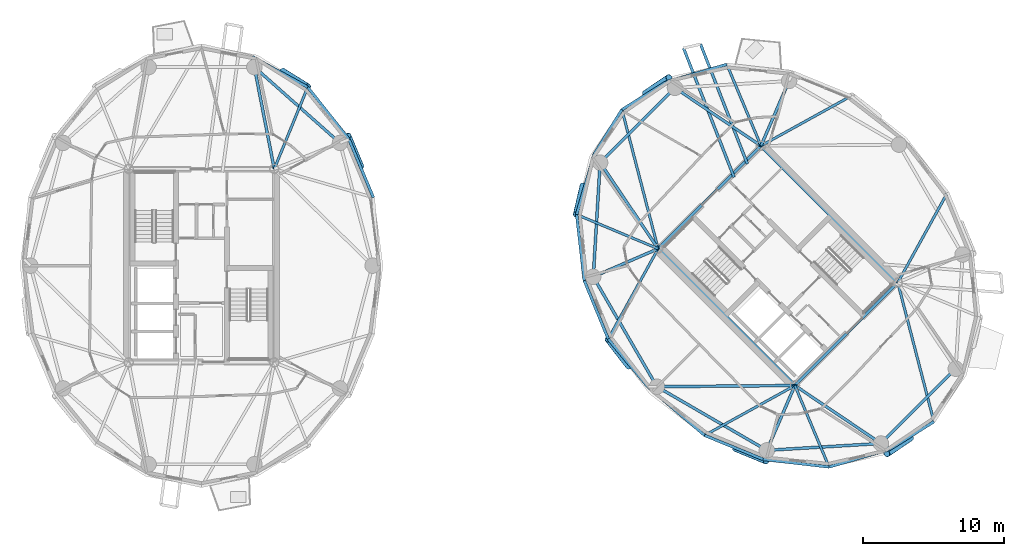
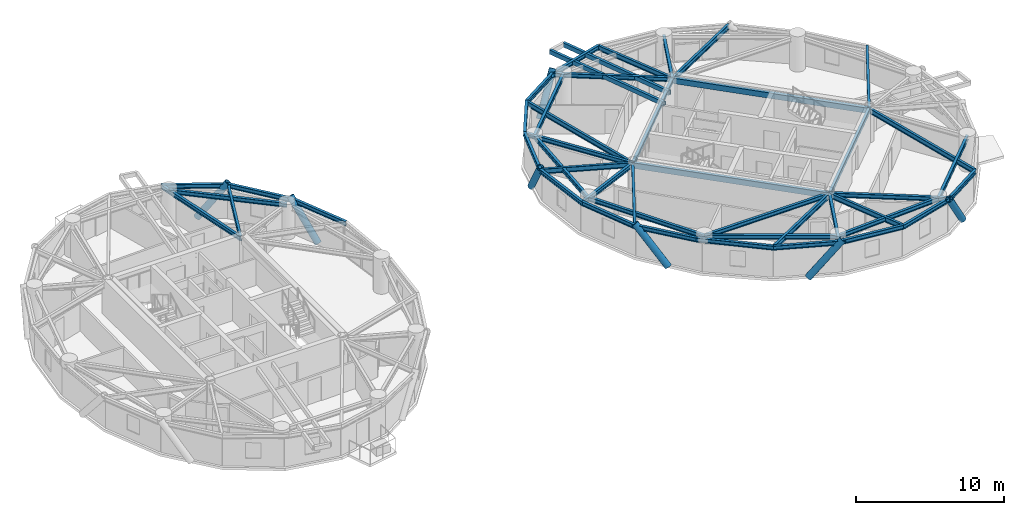
# One storey, part 4 of 17: 46 beams, 7 members.
"""IFC4 building model written with IfcOpenShell, lengths in metres."""

import ifcopenshell
import ifcopenshell.guid

model = None  # the IFC model being written
_history = None  # IfcOwnerHistory: only IFC2X3 demands one
_inside = {}  # id of a spatial element -> (the spatial element, [elements in it])
_under = {}  # id of a project, library or spatial element -> (it, [spatial elements below it])
_declared = {}  # id of a project -> (the project, [libraries it declares])
_typed = {}  # id of a type object -> (the type object, [elements of that type])
_made_of = {}  # id of a material, layer set ... -> (it, [elements and type objects made of it])


def new_model(schema):
    """Start an empty IFC model of exactly this schema.

    Asked for "IFC4X3", IfcOpenShell would pick the latest addendum, in which some entities
    have other attributes; the version numbers below select the first issue.
    IFC2X3 requires an IfcOwnerHistory on every rooted entity: one is made here for all.
    """
    global model, _history
    if schema == "IFC4X3":
        model = ifcopenshell.file(schema_version=(4, 3, 0, 0))
    else:
        model = ifcopenshell.file(schema=schema)
    _inside.clear()
    _under.clear()
    _declared.clear()
    _typed.clear()
    _made_of.clear()
    _history = None
    if model.schema == "IFC2X3":
        org = make("IfcOrganization", Name="unknown")
        user = make(
            "IfcPersonAndOrganization",
            ThePerson=make("IfcPerson", FamilyName="unknown"),
            TheOrganization=org,
        )
        app = make(
            "IfcApplication",
            ApplicationDeveloper=org,
            Version="unknown",
            ApplicationFullName="unknown",
            ApplicationIdentifier="unknown",
        )
        _history = make(
            "IfcOwnerHistory",
            OwningUser=user,
            OwningApplication=app,
            ChangeAction="ADDED",
            CreationDate=0,
        )
    return model


def make(cls, **values):
    """One entity of the class cls with the attributes given. An attribute that is None is left unset."""
    return model.create_entity(
        cls, **{name: value for name, value in values.items() if value is not None}
    )


def rooted(cls, **values):
    """An entity with a GlobalId (a new one), such as an element, a storey or a relation."""
    return make(cls, GlobalId=ifcopenshell.guid.new(), OwnerHistory=_history, **values)


def si_unit(unit_type, name, prefix=None):
    """IfcSIUnit, for example si_unit("LENGTHUNIT", "METRE", prefix="MILLI")."""
    return make("IfcSIUnit", UnitType=unit_type, Prefix=prefix, Name=name)


def assignment(units):
    """IfcUnitAssignment: the units of a project."""
    return None if units is None else make("IfcUnitAssignment", Units=units)


def point(xyz):
    """IfcCartesianPoint."""
    return None if xyz is None else make("IfcCartesianPoint", Coordinates=xyz)


def direction(xyz):
    """IfcDirection."""
    return None if xyz is None else make("IfcDirection", DirectionRatios=xyz)


def frame(location, z_axis=None, x_axis=None):
    """IfcAxis2Placement3D, a coordinate frame: its origin and axes. An axis left out is left unset."""
    return make(
        "IfcAxis2Placement3D",
        Location=point(location),
        Axis=direction(z_axis),
        RefDirection=direction(x_axis),
    )


def frame_2d(location, x_axis=None):
    """IfcAxis2Placement2D, a coordinate frame in the plane: its origin and x axis."""
    return make(
        "IfcAxis2Placement2D", Location=point(location), RefDirection=direction(x_axis)
    )


def origin():
    """The frame at (0, 0, 0) with its axes left unset."""
    return frame((0.0, 0.0, 0.0))


def origin_2d():
    """The frame at (0, 0) in the plane with its x axis left unset."""
    return frame_2d((0.0, 0.0))


def place(relative_to, where):
    """IfcLocalPlacement: puts the frame where relative to a parent placement (None: the world)."""
    return make(
        "IfcLocalPlacement", PlacementRelTo=relative_to, RelativePlacement=where
    )


def context(
    kind, dimensions, precision=None, world=None, true_north=None, identifier=None
):
    """IfcGeometricRepresentationContext, for example the 3D "Model" context."""
    return make(
        "IfcGeometricRepresentationContext",
        ContextIdentifier=identifier,
        ContextType=kind,
        CoordinateSpaceDimension=dimensions,
        Precision=precision,
        WorldCoordinateSystem=world,
        TrueNorth=true_north,
    )


def subcontext(parent, identifier, kind, view, scale=None):
    """IfcGeometricRepresentationSubContext, for example "Body" below "Model"."""
    return make(
        "IfcGeometricRepresentationSubContext",
        ContextIdentifier=identifier,
        ContextType=kind,
        ParentContext=parent,
        TargetScale=scale,
        TargetView=view,
    )


def project(units=None, contexts=None):
    """IfcProject with its units and contexts."""
    return rooted(
        "IfcProject",
        Name="project",
        RepresentationContexts=contexts,
        UnitsInContext=assignment(units),
    )


def spatial(cls, under=None, at=None, **own):
    """A site, building, storey or space (cls), placed at a placement, below another one or the project."""
    s = rooted(cls, ObjectPlacement=at, **own)
    if under is not None:
        _under.setdefault(under.id(), (under, []))[1].append(s)
    return s


def profile(cls, at=None, kind="AREA", **sizes):
    """A parametric profile (cls). Its sizes go by their IFC names, for example OverallWidth=200.0."""
    return make(cls, ProfileType=kind, Position=at, **sizes)


def hollow_rectangle(**sizes):
    """IfcRectangleHollowProfileDef."""
    return profile("IfcRectangleHollowProfileDef", **sizes)


def hollow_circle(**sizes):
    """IfcCircleHollowProfileDef."""
    return profile("IfcCircleHollowProfileDef", **sizes)


def i_section(**sizes):
    """IfcIShapeProfileDef."""
    return profile("IfcIShapeProfileDef", **sizes)


def extrude(swept, where, along, depth):
    """IfcExtrudedAreaSolid: the profile swept, set in the frame where, extruded along a direction by depth."""
    return make(
        "IfcExtrudedAreaSolid",
        SweptArea=swept,
        Position=where,
        ExtrudedDirection=direction(along),
        Depth=depth,
    )


def shape(context_of_items, identifier, shape_type, items):
    """IfcShapeRepresentation: the items that make up one representation, for example the "Body"."""
    return make(
        "IfcShapeRepresentation",
        ContextOfItems=context_of_items,
        RepresentationIdentifier=identifier,
        RepresentationType=shape_type,
        Items=items,
    )


def material(Name=None, Category=None):
    """IfcMaterial."""
    return make("IfcMaterial", Name=Name, Category=Category)


def material_profile(
    of_material, cross_section, Name=None, Category=None, Priority=None
):
    """IfcMaterialProfile: a cross section and its material."""
    return make(
        "IfcMaterialProfile",
        Name=Name,
        Material=of_material,
        Profile=cross_section,
        Priority=Priority,
        Category=Category,
    )


def profile_set(profiles, Name=None, composite=None):
    """IfcMaterialProfileSet."""
    return make(
        "IfcMaterialProfileSet",
        Name=Name,
        MaterialProfiles=profiles,
        CompositeProfile=composite,
    )


def made_of(thing, what):
    """Note that an element or type object is made of a material, layer set ...; save() writes the relation."""
    if what is not None:
        _made_of.setdefault(what.id(), (what, []))[1].append(thing)
    return thing


def type_object(cls, material=None, **own):
    """A type object (cls), such as IfcWallType, which elements share."""
    return made_of(rooted(cls, **own), material)


def element(
    cls,
    number,
    at=None,
    inside=None,
    cuts=None,
    type_object=None,
    material=None,
    context=None,
    identifier="Body",
    shape_type=None,
    held_by="IfcProductDefinitionShape",
    body=None,
    shapes=None,
    **own,
):
    """One element of the class cls, such as IfcWall. Its Tag is "e" and its number.

    at: its placement. inside: the storey or other place that contains it. cuts: it is an
    opening in that element (IfcRelVoidsElement). A single representation is given by context,
    identifier, shape_type and body (its items); several are given by shapes. held_by: the class
    of the entity that holds the representations. save() writes the other relations.
    """
    e = rooted(cls, Tag="e%d" % number, ObjectPlacement=at, **own)
    if body is not None:
        shapes = [shape(context, identifier, shape_type, body)]
    if shapes is not None:
        e.Representation = make(held_by, Representations=shapes)
    if inside is not None:
        _inside.setdefault(inside.id(), (inside, []))[1].append(e)
    if cuts is not None:
        rooted(
            "IfcRelVoidsElement", RelatingBuildingElement=cuts, RelatedOpeningElement=e
        )
    if type_object is not None:
        _typed.setdefault(type_object.id(), (type_object, []))[1].append(e)
    return made_of(e, material)


def aggregate(whole, parts):
    """IfcRelAggregates: a whole, such as a stair, and the parts it consists of."""
    return rooted("IfcRelAggregates", RelatingObject=whole, RelatedObjects=parts)


def save(model, path):
    """Write the relations noted so far, then the file.

    IfcRelAggregates (storeys below a building ...), IfcRelContainedInSpatialStructure (elements
    in a storey), IfcRelDefinesByType, IfcRelAssociatesMaterial and IfcRelDeclares: one each for
    every whole, place, type object, material and project.
    """
    for whole, parts in _under.values():
        aggregate(whole, parts)
    for where, things in _inside.values():
        rooted(
            "IfcRelContainedInSpatialStructure",
            RelatedElements=things,
            RelatingStructure=where,
        )
    for kind, things in _typed.values():
        rooted("IfcRelDefinesByType", RelatedObjects=things, RelatingType=kind)
    for what, things in _made_of.values():
        rooted("IfcRelAssociatesMaterial", RelatedObjects=things, RelatingMaterial=what)
    for by, libraries in _declared.values():
        rooted("IfcRelDeclares", RelatingContext=by, RelatedDefinitions=libraries)
    model.write(path)


model = new_model("IFC4")

# Units and contexts
model_context = context("Model", 3, precision=1e-05, world=origin(), true_north=direction((0.0, 1.0)))
body_context = subcontext(model_context, "Body", "Model", "MODEL_VIEW")
ifc_project = project(units=[si_unit("LENGTHUNIT", "METRE"), si_unit("AREAUNIT", "SQUARE_METRE"), si_unit("VOLUMEUNIT", "CUBIC_METRE"), si_unit("PLANEANGLEUNIT", "RADIAN"), si_unit("MASSUNIT", "GRAM", prefix="KILO")], contexts=[model_context])

# Site, building, storey
site_placement = place(None, origin())
site = spatial("IfcSite", under=ifc_project, at=site_placement, CompositionType="ELEMENT")
building_placement = place(site_placement, origin())
building = spatial("IfcBuilding", under=site, at=building_placement, Name="Cununo Teusaquillo Station Towers", CompositionType="ELEMENT")
storey_placement = place(building_placement, frame((0.0, 0.0, 205.389892578125)))
storey = spatial("IfcBuildingStorey", under=building, at=storey_placement, Name="L65", CompositionType="ELEMENT", Elevation=205.389892578125)

# Beams
ifc_material_1 = material(Name="Steel EN 10025-2 S355J2", Category="steel")
ifc_material_profile_1 = material_profile(ifc_material_1, hollow_rectangle(XDim=0.199951171875, YDim=0.35009765625, WallThickness=0.013916015625, at=origin_2d()), Name="RHS 350x200x14")
ifc_profile_set_1 = profile_set([ifc_material_profile_1], Name="Steel EN 10025-2 S355J2")
beam_type_1 = type_object("IfcBeamType", Name="BM-BAL-CANT", PredefinedType="BEAM", material=ifc_profile_set_1)
beam_1_placement = place(storey_placement, frame((55.329345703125, 31.73388671875, 2.525146484375), z_axis=(-0.364356093101, 0.931259704605, 0.0), x_axis=(-0.931259704605, -0.364356093101, 0.0)))
element("IfcBeam", 1, at=beam_1_placement, inside=storey, type_object=beam_type_1, Name="L65 Tower B Balcony Cantilever Bracket 1A", PredefinedType="BEAM", context=body_context, shape_type="SweptSolid", body=[
    extrude(hollow_rectangle(XDim=0.199951171875, YDim=0.35009765625, WallThickness=0.013916015625, at=origin_2d()), origin(), (0.0, 0.0, 1.0), 9.151123046875),
])
beam_2_placement = place(storey_placement, frame((54.38134765625, 30.785888671875, 2.525146484375), z_axis=(-0.364348965109, 0.931262493406, 0.0), x_axis=(-0.931262493406, -0.364348965109, 0.0)))
element("IfcBeam", 2, at=beam_2_placement, inside=storey, type_object=beam_type_1, Name="L65 Tower B Balcony Cantilever Bracket 1B", PredefinedType="BEAM", context=body_context, shape_type="SweptSolid", body=[
    extrude(hollow_rectangle(XDim=0.199951171875, YDim=0.35009765625, WallThickness=0.013916015625, at=origin_2d()), origin(), (0.0, 0.0, 1.0), 9.8662109375),
])
ifc_material_2 = material(Name="Steel EN 10025-2 S355J2", Category="steel")
ifc_material_profile_2 = material_profile(ifc_material_2, hollow_rectangle(XDim=0.25, YDim=0.449951171875, WallThickness=0.01611328125, at=origin_2d()), Name="RHS 450x250x16")
ifc_profile_set_2 = profile_set([ifc_material_profile_2], Name="Steel EN 10025-2 S355J2")
beam_type_2 = type_object("IfcBeamType", Name="BM-COUP-1", PredefinedType="USERDEFINED", material=ifc_profile_set_2)
for number, where, z_axis, x_axis, name in (
    (3, (58.70556640625, 15.975830078125, 2.47509765625), (-0.707106781187, 0.707106781187, 0.0), (-0.707106781187, -0.707106781187, 0.0), "L65 Tower B Core Beam 1"),
    (4, (66.024169921875, 23.29443359375, 2.47509765625), (-0.707106781187, 0.707106781187, 0.0), (-0.707106781187, -0.707106781187, 0.0), "L65 Tower B Core Beam 2"),
):
    element("IfcBeam", number, at=place(storey_placement, frame(where, z_axis=z_axis, x_axis=x_axis)), inside=storey, type_object=beam_type_2, Name=name, ObjectType="COUPLING BEAM", PredefinedType="USERDEFINED", context=body_context, shape_type="SweptSolid", body=[
        extrude(hollow_rectangle(XDim=0.25, YDim=0.449951171875, WallThickness=0.01611328125, at=origin_2d()), origin(), (0.0, 0.0, 1.0), 13.760009765625),
    ])
ifc_material_3 = material(Name="Steel ASTM A572 Grade 50", Category="steel")
ifc_material_profile_3 = material_profile(ifc_material_3, i_section(OverallWidth=0.180908203125, OverallDepth=0.4169921875, WebThickness=0.010986328125, FlangeThickness=0.018310546875, FilletRadius=0.012939453125, at=origin_2d()), Name="W16X57")
ifc_profile_set_3 = profile_set([ifc_material_profile_3], Name="Steel ASTM A572 Grade 50")
beam_type_3 = type_object("IfcBeamType", Name="BM-JOIST-1", PredefinedType="JOIST", material=ifc_profile_set_3)
beam_3_placement = place(storey_placement, frame((21.675048828125, 31.3798828125, 2.49169921875), z_axis=(0.378576847217, 0.925569862707, 0.0), x_axis=(-0.925569862707, 0.378576847217, 0.0)))
element("IfcBeam", 5, at=beam_3_placement, inside=storey, type_object=beam_type_3, Name="L65 Tower A Radial Spandrel Joist V03", PredefinedType="JOIST", context=body_context, shape_type="SweptSolid", body=[
    extrude(i_section(OverallWidth=0.180908203125, OverallDepth=0.4169921875, WebThickness=0.010986328125, FlangeThickness=0.018310546875, FilletRadius=0.012939453125, at=origin_2d()), origin(), (0.0, 0.0, 1.0), 6.28125),
])
beam_4_placement = place(storey_placement, frame((56.29443359375, 33.024169921875, 2.49169921875), z_axis=(0.8753153358, 0.483552544108, 0.0), x_axis=(-0.483552544108, 0.8753153358, 0.0)))
element("IfcBeam", 6, at=beam_4_placement, inside=storey, type_object=beam_type_3, Name="L65 Tower B Radial Spandrel Joist V01", PredefinedType="JOIST", context=body_context, shape_type="SweptSolid", body=[
    extrude(i_section(OverallWidth=0.180908203125, OverallDepth=0.4169921875, WebThickness=0.010986328125, FlangeThickness=0.018310546875, FilletRadius=0.012939453125, at=origin_2d()), origin(), (0.0, 0.0, 1.0), 7.3330078125),
])
beam_5_placement = place(storey_placement, frame((56.29443359375, 33.024169921875, 2.49169921875), z_axis=(-0.386786389381, 0.922169338565, 0.0), x_axis=(-0.922169338565, -0.386786389381, 0.0)))
element("IfcBeam", 7, at=beam_5_placement, inside=storey, type_object=beam_type_3, Name="L65 Tower B Radial Spandrel Joist V03", PredefinedType="JOIST", context=body_context, shape_type="SweptSolid", body=[
    extrude(i_section(OverallWidth=0.180908203125, OverallDepth=0.4169921875, WebThickness=0.010986328125, FlangeThickness=0.018310546875, FilletRadius=0.012939453125, at=origin_2d()), origin(), (0.0, 0.0, 1.0), 6.281005859375),
])
beam_6_placement = place(storey_placement, frame((48.975830078125, 25.70556640625, 2.49169921875), z_axis=(-0.251559992432, 0.967841707206, 0.0), x_axis=(-0.967841707206, -0.251559992432, 0.0)))
element("IfcBeam", 8, at=beam_6_placement, inside=storey, type_object=beam_type_3, Name="L65 Tower B Radial Spandrel Joist V05", PredefinedType="JOIST", context=body_context, shape_type="SweptSolid", body=[
    extrude(i_section(OverallWidth=0.180908203125, OverallDepth=0.4169921875, WebThickness=0.010986328125, FlangeThickness=0.018310546875, FilletRadius=0.012939453125, at=origin_2d()), origin(), (0.0, 0.0, 1.0), 10.217529296875),
])
beam_7_placement = place(storey_placement, frame((48.975830078125, 25.70556640625, 2.49169921875), z_axis=(-0.922169338565, 0.386786389381, 0.0), x_axis=(-0.386786389381, -0.922169338565, 0.0)))
element("IfcBeam", 9, at=beam_7_placement, inside=storey, type_object=beam_type_3, Name="L65 Tower B Radial Spandrel Joist V07", PredefinedType="JOIST", context=body_context, shape_type="SweptSolid", body=[
    extrude(i_section(OverallWidth=0.180908203125, OverallDepth=0.4169921875, WebThickness=0.010986328125, FlangeThickness=0.018310546875, FilletRadius=0.012939453125, at=origin_2d()), origin(), (0.0, 0.0, 1.0), 6.281005859375),
])
for number, where, z_axis, x_axis, name in (
    (10, (48.975830078125, 25.70556640625, 2.49169921875), (-0.483552544108, -0.8753153358, 0.0), (0.8753153358, -0.483552544108, 0.0), "L65 Tower B Radial Spandrel Joist V09"),
    (11, (58.70556640625, 15.975830078125, 2.49169921875), (-0.8753153358, -0.483552544108, 0.0), (0.483552544108, -0.8753153358, 0.0), "L65 Tower B Radial Spandrel Joist V11"),
):
    element("IfcBeam", number, at=place(storey_placement, frame(where, z_axis=z_axis, x_axis=x_axis)), inside=storey, type_object=beam_type_3, Name=name, PredefinedType="JOIST", context=body_context, shape_type="SweptSolid", body=[
        extrude(i_section(OverallWidth=0.180908203125, OverallDepth=0.4169921875, WebThickness=0.010986328125, FlangeThickness=0.018310546875, FilletRadius=0.012939453125, at=origin_2d()), origin(), (0.0, 0.0, 1.0), 7.3330078125),
    ])
beam_8_placement = place(storey_placement, frame((58.70556640625, 15.975830078125, 2.49169921875), z_axis=(0.386786389381, -0.922169338565, 0.0), x_axis=(0.922169338565, 0.386786389381, 0.0)))
element("IfcBeam", 12, at=beam_8_placement, inside=storey, type_object=beam_type_3, Name="L65 Tower B Radial Spandrel Joist V13", PredefinedType="JOIST", context=body_context, shape_type="SweptSolid", body=[
    extrude(i_section(OverallWidth=0.180908203125, OverallDepth=0.4169921875, WebThickness=0.010986328125, FlangeThickness=0.018310546875, FilletRadius=0.012939453125, at=origin_2d()), origin(), (0.0, 0.0, 1.0), 6.281005859375),
])
beam_9_placement = place(storey_placement, frame((66.024169921875, 23.29443359375, 2.49169921875), z_axis=(0.251559992432, -0.967841707206, 0.0), x_axis=(0.967841707206, 0.251559992432, 0.0)))
element("IfcBeam", 13, at=beam_9_placement, inside=storey, type_object=beam_type_3, Name="L65 Tower B Radial Spandrel Joist V15", PredefinedType="JOIST", context=body_context, shape_type="SweptSolid", body=[
    extrude(i_section(OverallWidth=0.180908203125, OverallDepth=0.4169921875, WebThickness=0.010986328125, FlangeThickness=0.018310546875, FilletRadius=0.012939453125, at=origin_2d()), origin(), (0.0, 0.0, 1.0), 10.217529296875),
])
beam_10_placement = place(storey_placement, frame((66.024169921875, 23.29443359375, 2.49169921875), z_axis=(0.483552544108, 0.8753153358, 0.0), x_axis=(-0.8753153358, 0.483552544108, 0.0)))
element("IfcBeam", 14, at=beam_10_placement, inside=storey, type_object=beam_type_3, Name="L65 Tower B Radial Spandrel Joist V19", PredefinedType="JOIST", context=body_context, shape_type="SweptSolid", body=[
    extrude(i_section(OverallWidth=0.180908203125, OverallDepth=0.4169921875, WebThickness=0.010986328125, FlangeThickness=0.018310546875, FilletRadius=0.012939453125, at=origin_2d()), origin(), (0.0, 0.0, 1.0), 7.3330078125),
])
ifc_material_4 = material(Name="Steel ASTM A572 Grade 50", Category="steel")
ifc_material_profile_4 = material_profile(ifc_material_4, i_section(OverallWidth=0.2041015625, OverallDepth=0.35009765625, WebThickness=0.008544921875, FlangeThickness=0.01513671875, FilletRadius=0.011962890625, at=origin_2d()), Name="W14X48")
ifc_profile_set_4 = profile_set([ifc_material_profile_4], Name="Steel ASTM A572 Grade 50")
beam_type_4 = type_object("IfcBeamType", Name="BM-LINTEL-1", PredefinedType="LINTEL", material=ifc_profile_set_4)
for number, where, z_axis, x_axis, name in (
    (15, (58.70556640625, 15.975830078125, 2.525146484375), (0.707106781187, 0.707106781187, 0.0), (-0.707106781187, 0.707106781187, 0.0), "L65 Tower B Core Beam 3"),
    (16, (48.975830078125, 25.70556640625, 2.525146484375), (0.707106781187, 0.707106781187, 0.0), (-0.707106781187, 0.707106781187, 0.0), "L65 Tower B Core Beam 4"),
):
    element("IfcBeam", number, at=place(storey_placement, frame(where, z_axis=z_axis, x_axis=x_axis)), inside=storey, type_object=beam_type_4, Name=name, PredefinedType="LINTEL", context=body_context, shape_type="SweptSolid", body=[
        extrude(i_section(OverallWidth=0.2041015625, OverallDepth=0.35009765625, WebThickness=0.008544921875, FlangeThickness=0.01513671875, FilletRadius=0.011962890625, at=origin_2d()), origin(), (0.0, 0.0, 1.0), 10.35009765625),
    ])
ifc_material_5 = material(Name="Steel ASTM A572 Grade 50", Category="steel")
ifc_material_profile_5 = material_profile(ifc_material_5, i_section(OverallWidth=0.2041015625, OverallDepth=0.35009765625, WebThickness=0.008544921875, FlangeThickness=0.01513671875, FilletRadius=0.011962890625, at=origin_2d()), Name="W14X48")
ifc_profile_set_5 = profile_set([ifc_material_profile_5], Name="Steel ASTM A572 Grade 50")
beam_type_5 = type_object("IfcBeamType", Name="BM-RAD-G3", PredefinedType="BEAM", material=ifc_profile_set_5)
beam_11_placement = place(storey_placement, frame((21.675048828125, 31.3798828125, 2.525146484375), z_axis=(-0.191548487699, 0.981483151593, 0.0), x_axis=(-0.981483151593, -0.191548487699, 0.0)))
element("IfcBeam", 17, at=beam_11_placement, inside=storey, type_object=beam_type_5, Name="L65 Tower A Continuous Overhanging Radial Girder 03", PredefinedType="BEAM", context=body_context, shape_type="SweptSolid", body=[
    extrude(i_section(OverallWidth=0.2041015625, OverallDepth=0.35009765625, WebThickness=0.008544921875, FlangeThickness=0.01513671875, FilletRadius=0.011962890625, at=origin_2d()), origin(), (0.0, 0.0, 1.0), 8.1240234375),
])
beam_12_placement = place(storey_placement, frame((56.29443359375, 33.024169921875, 2.525146484375), z_axis=(0.397346986387, 0.917668443616, 0.0), x_axis=(-0.917668443616, 0.397346986387, 0.0)))
element("IfcBeam", 18, at=beam_12_placement, inside=storey, type_object=beam_type_5, Name="L65 Tower B Radial Girder 02A", PredefinedType="BEAM", context=body_context, shape_type="SweptSolid", body=[
    extrude(i_section(OverallWidth=0.2041015625, OverallDepth=0.35009765625, WebThickness=0.008544921875, FlangeThickness=0.01513671875, FilletRadius=0.011962890625, at=origin_2d()), origin(), (0.0, 0.0, 1.0), 5.02490234375),
])
for number, where, z_axis, x_axis, name in (
    (19, (56.29443359375, 33.024169921875, 2.525146484375), (-0.829456817529, 0.558570844079, 0.0), (-0.558570844079, -0.829456817529, 0.0), "L65 Tower B Continuous Overhanging Radial Girder 03"),
    (20, (48.975830078125, 25.70556640625, 2.525146484375), (-0.558570844079, 0.829456817529, 0.0), (-0.829456817529, -0.558570844079, 0.0), "L65 Tower B Continuous Overhanging Radial Girder 04"),
):
    element("IfcBeam", number, at=place(storey_placement, frame(where, z_axis=z_axis, x_axis=x_axis)), inside=storey, type_object=beam_type_5, Name=name, PredefinedType="BEAM", context=body_context, shape_type="SweptSolid", body=[
        extrude(i_section(OverallWidth=0.2041015625, OverallDepth=0.35009765625, WebThickness=0.008544921875, FlangeThickness=0.01513671875, FilletRadius=0.011962890625, at=origin_2d()), origin(), (0.0, 0.0, 1.0), 8.1240234375),
    ])
beam_13_placement = place(storey_placement, frame((48.975830078125, 25.70556640625, 2.525146484375), z_axis=(-0.917665176837, -0.397354530893, 0.0), x_axis=(0.397354530893, -0.917665176837, 0.0)))
element("IfcBeam", 21, at=beam_13_placement, inside=storey, type_object=beam_type_5, Name="L65 Tower B Continuous Overhanging Radial Girder 05", PredefinedType="BEAM", context=body_context, shape_type="SweptSolid", body=[
    extrude(i_section(OverallWidth=0.2041015625, OverallDepth=0.35009765625, WebThickness=0.008544921875, FlangeThickness=0.01513671875, FilletRadius=0.011962890625, at=origin_2d()), origin(), (0.0, 0.0, 1.0), 5.716552734375),
])
beam_14_placement = place(storey_placement, frame((58.70556640625, 15.975830078125, 2.525146484375), z_axis=(-0.999964431382, -0.008434214327, 0.0), x_axis=(0.008434214327, -0.999964431382, 0.0)))
element("IfcBeam", 22, at=beam_14_placement, inside=storey, type_object=beam_type_5, Name="L65 Tower B Radial Girder 06A", PredefinedType="BEAM", context=body_context, shape_type="SweptSolid", body=[
    extrude(i_section(OverallWidth=0.2041015625, OverallDepth=0.35009765625, WebThickness=0.008544921875, FlangeThickness=0.01513671875, FilletRadius=0.011962890625, at=origin_2d()), origin(), (0.0, 0.0, 1.0), 9.812744140625),
])
beam_15_placement = place(storey_placement, frame((58.70556640625, 15.975830078125, 2.525146484375), z_axis=(-0.397354530893, -0.917665176837, 0.0), x_axis=(0.917665176837, -0.397354530893, 0.0)))
element("IfcBeam", 23, at=beam_15_placement, inside=storey, type_object=beam_type_5, Name="L65 Tower B Continuous Overhanging Radial Girder 07", PredefinedType="BEAM", context=body_context, shape_type="SweptSolid", body=[
    extrude(i_section(OverallWidth=0.2041015625, OverallDepth=0.35009765625, WebThickness=0.008544921875, FlangeThickness=0.01513671875, FilletRadius=0.011962890625, at=origin_2d()), origin(), (0.0, 0.0, 1.0), 5.716552734375),
])
beam_16_placement = place(storey_placement, frame((58.70556640625, 15.975830078125, 2.525146484375), z_axis=(0.829456817529, -0.558570844079, 0.0), x_axis=(0.558570844079, 0.829456817529, 0.0)))
element("IfcBeam", 24, at=beam_16_placement, inside=storey, type_object=beam_type_5, Name="L65 Tower B Continuous Overhanging Radial Girder 08", PredefinedType="BEAM", context=body_context, shape_type="SweptSolid", body=[
    extrude(i_section(OverallWidth=0.2041015625, OverallDepth=0.35009765625, WebThickness=0.008544921875, FlangeThickness=0.01513671875, FilletRadius=0.011962890625, at=origin_2d()), origin(), (0.0, 0.0, 1.0), 8.1240234375),
])
ifc_material_6 = material(Name="Steel ASTM A572 Grade 50", Category="steel")
ifc_material_profile_6 = material_profile(ifc_material_6, i_section(OverallWidth=0.2041015625, OverallDepth=0.35009765625, WebThickness=0.008544921875, FlangeThickness=0.01513671875, FilletRadius=0.011962890625, at=origin_2d()), Name="W14X48")
ifc_profile_set_6 = profile_set([ifc_material_profile_6], Name="Steel ASTM A572 Grade 50")
beam_type_6 = type_object("IfcBeamType", Name="BM-RING-Z4", PredefinedType="SPANDREL", material=ifc_profile_set_6)
beam_17_placement = place(storey_placement, frame((26.347412109375, 33.228515625, 2.525146484375), z_axis=(-0.74832120039, 0.66333655187, 0.0), x_axis=(-0.66333655187, -0.74832120039, 0.0)))
element("IfcBeam", 25, at=beam_17_placement, inside=storey, type_object=beam_type_6, Name="L65 Tower A Structural Column Ring Girder 02", PredefinedType="SPANDREL", context=body_context, shape_type="SweptSolid", body=[
    extrude(i_section(OverallWidth=0.2041015625, OverallDepth=0.35009765625, WebThickness=0.008544921875, FlangeThickness=0.01513671875, FilletRadius=0.011962890625, at=origin_2d()), origin(), (0.0, 0.0, 1.0), 8.1328125),
])
beam_18_placement = place(storey_placement, frame((28.72119140625, 29.348388671875, 2.525146484375), z_axis=(-0.386115454066, 0.922450462698, 0.0), x_axis=(-0.922450462698, -0.386115454066, 0.0)))
element("IfcBeam", 26, at=beam_18_placement, inside=storey, type_object=beam_type_6, Name="L65 Tower A Spandrel Ring Beam 02", PredefinedType="SPANDREL", context=body_context, shape_type="SweptSolid", body=[
    extrude(i_section(OverallWidth=0.2041015625, OverallDepth=0.35009765625, WebThickness=0.008544921875, FlangeThickness=0.01513671875, FilletRadius=0.011962890625, at=origin_2d()), origin(), (0.0, 0.0, 1.0), 4.482421875),
])
beam_19_placement = place(storey_placement, frame((26.990478515625, 33.483154296875, 2.525146484375), z_axis=(-0.620710872531, 0.784039547932, 0.0), x_axis=(-0.784039547932, -0.620710872531, 0.0)))
element("IfcBeam", 27, at=beam_19_placement, inside=storey, type_object=beam_type_6, Name="L65 Tower A Spandrel Ring Beam 03", PredefinedType="SPANDREL", context=body_context, shape_type="SweptSolid", body=[
    extrude(i_section(OverallWidth=0.2041015625, OverallDepth=0.35009765625, WebThickness=0.008544921875, FlangeThickness=0.01513671875, FilletRadius=0.011962890625, at=origin_2d()), origin(), (0.0, 0.0, 1.0), 4.732421875),
])
beam_20_placement = place(storey_placement, frame((24.052978515625, 37.193603515625, 2.525146484375), z_axis=(-0.876576300909, 0.481262910149, 0.0), x_axis=(-0.481262910149, -0.876576300909, 0.0)))
element("IfcBeam", 28, at=beam_20_placement, inside=storey, type_object=beam_type_6, Name="L65 Tower A Spandrel Ring Beam 04", PredefinedType="SPANDREL", context=body_context, shape_type="SweptSolid", body=[
    extrude(i_section(OverallWidth=0.2041015625, OverallDepth=0.35009765625, WebThickness=0.008544921875, FlangeThickness=0.01513671875, FilletRadius=0.011962890625, at=origin_2d()), origin(), (0.0, 0.0, 1.0), 4.488037109375),
])
beam_21_placement = place(storey_placement, frame((50.173095703125, 37.146240234375, 2.525146484375), z_axis=(-0.707106781187, -0.707106781187, 0.0), x_axis=(0.707106781187, -0.707106781187, 0.0)))
element("IfcBeam", 29, at=beam_21_placement, inside=storey, type_object=beam_type_6, Name="L65 Tower B Structural Column Ring Girder 03", PredefinedType="SPANDREL", context=body_context, shape_type="SweptSolid", body=[
    extrude(i_section(OverallWidth=0.2041015625, OverallDepth=0.35009765625, WebThickness=0.008544921875, FlangeThickness=0.01513671875, FilletRadius=0.011962890625, at=origin_2d()), origin(), (0.0, 0.0, 1.0), 7.522705078125),
])
beam_22_placement = place(storey_placement, frame((44.853759765625, 31.826904296875, 2.525146484375), z_axis=(-0.06012979176, -0.998190567048, 0.0), x_axis=(0.998190567048, -0.06012979176, 0.0)))
element("IfcBeam", 30, at=beam_22_placement, inside=storey, type_object=beam_type_6, Name="L65 Tower B Structural Column Ring Girder 04", PredefinedType="SPANDREL", context=body_context, shape_type="SweptSolid", body=[
    extrude(i_section(OverallWidth=0.2041015625, OverallDepth=0.35009765625, WebThickness=0.008544921875, FlangeThickness=0.01513671875, FilletRadius=0.011962890625, at=origin_2d()), origin(), (0.0, 0.0, 1.0), 8.132568359375),
])
for number, where, z_axis, x_axis, name in (
    (31, (44.36474609375, 23.708984375, 2.525146484375), (0.501311121078, -0.865267103202, 0.0), (0.865267103202, 0.501311121078, 0.0), "L65 Tower B Structural Column Ring Girder 05"),
    (32, (48.89306640625, 15.89306640625, 2.525146484375), (0.865267103202, -0.501311121078, 0.0), (0.501311121078, 0.865267103202, 0.0), "L65 Tower B Structural Column Ring Girder 06"),
):
    element("IfcBeam", number, at=place(storey_placement, frame(where, z_axis=z_axis, x_axis=x_axis)), inside=storey, type_object=beam_type_6, Name=name, PredefinedType="SPANDREL", context=body_context, shape_type="SweptSolid", body=[
        extrude(i_section(OverallWidth=0.2041015625, OverallDepth=0.35009765625, WebThickness=0.008544921875, FlangeThickness=0.01513671875, FilletRadius=0.011962890625, at=origin_2d()), origin(), (0.0, 0.0, 1.0), 9.032958984375),
    ])
beam_23_placement = place(storey_placement, frame((56.708984375, 11.36474609375, 2.525146484375), z_axis=(0.998190567048, 0.06012979176, 0.0), x_axis=(-0.06012979176, 0.998190567048, 0.0)))
element("IfcBeam", 33, at=beam_23_placement, inside=storey, type_object=beam_type_6, Name="L65 Tower B Structural Column Ring Girder 07", PredefinedType="SPANDREL", context=body_context, shape_type="SweptSolid", body=[
    extrude(i_section(OverallWidth=0.2041015625, OverallDepth=0.35009765625, WebThickness=0.008544921875, FlangeThickness=0.01513671875, FilletRadius=0.011962890625, at=origin_2d()), origin(), (0.0, 0.0, 1.0), 8.132568359375),
])
beam_24_placement = place(storey_placement, frame((64.826904296875, 11.853759765625, 2.525146484375), z_axis=(0.707106781187, 0.707106781187, 0.0), x_axis=(-0.707106781187, 0.707106781187, 0.0)))
element("IfcBeam", 34, at=beam_24_placement, inside=storey, type_object=beam_type_6, Name="L65 Tower B Structural Column Ring Girder 08", PredefinedType="SPANDREL", context=body_context, shape_type="SweptSolid", body=[
    extrude(i_section(OverallWidth=0.2041015625, OverallDepth=0.35009765625, WebThickness=0.008544921875, FlangeThickness=0.01513671875, FilletRadius=0.011962890625, at=origin_2d()), origin(), (0.0, 0.0, 1.0), 7.522705078125),
])
beam_25_placement = place(storey_placement, frame((53.864990234375, 38.81640625, 2.525146484375), z_axis=(-0.96014487762, -0.279502797802, 0.0), x_axis=(0.279502797802, -0.96014487762, 0.0)))
element("IfcBeam", 35, at=beam_25_placement, inside=storey, type_object=beam_type_6, Name="L65 Tower B Spandrel Ring Beam 04", PredefinedType="SPANDREL", context=body_context, shape_type="SweptSolid", body=[
    extrude(i_section(OverallWidth=0.2041015625, OverallDepth=0.35009765625, WebThickness=0.008544921875, FlangeThickness=0.01513671875, FilletRadius=0.011962890625, at=origin_2d()), origin(), (0.0, 0.0, 1.0), 4.488037109375),
])
for number, where, z_axis, x_axis, name in (
    (36, (49.555908203125, 37.56201171875, 2.525146484375), (-0.848175505099, -0.529715312739, 0.0), (0.529715312739, -0.848175505099, 0.0), "L65 Tower B Spandrel Ring Beam 05"),
    (37, (46.405517578125, 35.594482421875, 2.525146484375), (-0.529715312739, -0.848175505099, 0.0), (0.848175505099, -0.529715312739, 0.0), "L65 Tower B Spandrel Ring Beam 06"),
):
    element("IfcBeam", number, at=place(storey_placement, frame(where, z_axis=z_axis, x_axis=x_axis)), inside=storey, type_object=beam_type_6, Name=name, PredefinedType="SPANDREL", context=body_context, shape_type="SweptSolid", body=[
        extrude(i_section(OverallWidth=0.2041015625, OverallDepth=0.35009765625, WebThickness=0.008544921875, FlangeThickness=0.01513671875, FilletRadius=0.011962890625, at=origin_2d()), origin(), (0.0, 0.0, 1.0), 3.71435546875),
    ])
beam_26_placement = place(storey_placement, frame((44.43798828125, 32.444091796875, 2.525146484375), z_axis=(-0.279502797802, -0.96014487762, 0.0), x_axis=(0.96014487762, -0.279502797802, 0.0)))
element("IfcBeam", 38, at=beam_26_placement, inside=storey, type_object=beam_type_6, Name="L65 Tower B Spandrel Ring Beam 07", PredefinedType="SPANDREL", context=body_context, shape_type="SweptSolid", body=[
    extrude(i_section(OverallWidth=0.2041015625, OverallDepth=0.35009765625, WebThickness=0.008544921875, FlangeThickness=0.01513671875, FilletRadius=0.011962890625, at=origin_2d()), origin(), (0.0, 0.0, 1.0), 4.488037109375),
])
beam_27_placement = place(storey_placement, frame((43.18359375, 28.135009765625, 2.525146484375), z_axis=(0.115452326356, -0.993313022334, 0.0), x_axis=(0.993313022334, 0.115452326356, 0.0)))
element("IfcBeam", 39, at=beam_27_placement, inside=storey, type_object=beam_type_6, Name="L65 Tower B Spandrel Ring Beam 08", PredefinedType="SPANDREL", context=body_context, shape_type="SweptSolid", body=[
    extrude(i_section(OverallWidth=0.2041015625, OverallDepth=0.35009765625, WebThickness=0.008544921875, FlangeThickness=0.01513671875, FilletRadius=0.011962890625, at=origin_2d()), origin(), (0.0, 0.0, 1.0), 4.732666015625),
])
beam_28_placement = place(storey_placement, frame((43.72998046875, 23.43408203125, 2.525146484375), z_axis=(0.379275405388, -0.925283830437, 0.0), x_axis=(0.925283830437, 0.379275405388, 0.0)))
element("IfcBeam", 40, at=beam_28_placement, inside=storey, type_object=beam_type_6, Name="L65 Tower B Spandrel Ring Beam 09", PredefinedType="SPANDREL", context=body_context, shape_type="SweptSolid", body=[
    extrude(i_section(OverallWidth=0.2041015625, OverallDepth=0.35009765625, WebThickness=0.008544921875, FlangeThickness=0.01513671875, FilletRadius=0.011962890625, at=origin_2d()), origin(), (0.0, 0.0, 1.0), 4.482177734375),
])
beam_29_placement = place(storey_placement, frame((45.429931640625, 19.286865234375, 2.525146484375), z_axis=(0.637524682095, -0.770429931739, 0.0), x_axis=(0.770429931739, 0.637524682095, 0.0)))
element("IfcBeam", 41, at=beam_29_placement, inside=storey, type_object=beam_type_6, Name="L65 Tower B Spandrel Ring Beam 10", PredefinedType="SPANDREL", context=body_context, shape_type="SweptSolid", body=[
    extrude(i_section(OverallWidth=0.2041015625, OverallDepth=0.35009765625, WebThickness=0.008544921875, FlangeThickness=0.01513671875, FilletRadius=0.011962890625, at=origin_2d()), origin(), (0.0, 0.0, 1.0), 4.412353515625),
])
beam_30_placement = place(storey_placement, frame((48.242919921875, 15.887451171875, 2.525146484375), z_axis=(0.760065778291, -0.649846145385, 0.0), x_axis=(0.649846145385, 0.760065778291, 0.0)))
element("IfcBeam", 42, at=beam_30_placement, inside=storey, type_object=beam_type_6, Name="L65 Tower B Spandrel Ring Beam 11", PredefinedType="SPANDREL", context=body_context, shape_type="SweptSolid", body=[
    extrude(i_section(OverallWidth=0.2041015625, OverallDepth=0.35009765625, WebThickness=0.008544921875, FlangeThickness=0.01513671875, FilletRadius=0.011962890625, at=origin_2d()), origin(), (0.0, 0.0, 1.0), 5.320556640625),
])
beam_31_placement = place(storey_placement, frame((52.286865234375, 12.429931640625, 2.525146484375), z_axis=(0.925283830437, -0.379275405388, 0.0), x_axis=(0.379275405388, 0.925283830437, 0.0)))
element("IfcBeam", 43, at=beam_31_placement, inside=storey, type_object=beam_type_6, Name="L65 Tower B Spandrel Ring Beam 12", PredefinedType="SPANDREL", context=body_context, shape_type="SweptSolid", body=[
    extrude(i_section(OverallWidth=0.2041015625, OverallDepth=0.35009765625, WebThickness=0.008544921875, FlangeThickness=0.01513671875, FilletRadius=0.011962890625, at=origin_2d()), origin(), (0.0, 0.0, 1.0), 4.482177734375),
])
beam_32_placement = place(storey_placement, frame((56.43408203125, 10.72998046875, 2.525146484375), z_axis=(0.993313022334, -0.115452326356, 0.0), x_axis=(0.115452326356, 0.993313022334, 0.0)))
element("IfcBeam", 44, at=beam_32_placement, inside=storey, type_object=beam_type_6, Name="L65 Tower B Spandrel Ring Beam 13", PredefinedType="SPANDREL", context=body_context, shape_type="SweptSolid", body=[
    extrude(i_section(OverallWidth=0.2041015625, OverallDepth=0.35009765625, WebThickness=0.008544921875, FlangeThickness=0.01513671875, FilletRadius=0.011962890625, at=origin_2d()), origin(), (0.0, 0.0, 1.0), 4.732666015625),
])
beam_33_placement = place(storey_placement, frame((61.135009765625, 10.18359375, 2.525146484375), z_axis=(0.96014487762, 0.279502797802, 0.0), x_axis=(-0.279502797802, 0.96014487762, 0.0)))
element("IfcBeam", 45, at=beam_33_placement, inside=storey, type_object=beam_type_6, Name="L65 Tower B Spandrel Ring Beam 14", PredefinedType="SPANDREL", context=body_context, shape_type="SweptSolid", body=[
    extrude(i_section(OverallWidth=0.2041015625, OverallDepth=0.35009765625, WebThickness=0.008544921875, FlangeThickness=0.01513671875, FilletRadius=0.011962890625, at=origin_2d()), origin(), (0.0, 0.0, 1.0), 4.488037109375),
])
beam_34_placement = place(storey_placement, frame((65.444091796875, 11.43798828125, 2.525146484375), z_axis=(0.848175505099, 0.529715312739, 0.0), x_axis=(-0.529715312739, 0.848175505099, 0.0)))
element("IfcBeam", 46, at=beam_34_placement, inside=storey, type_object=beam_type_6, Name="L65 Tower B Spandrel Ring Beam 15", PredefinedType="SPANDREL", context=body_context, shape_type="SweptSolid", body=[
    extrude(i_section(OverallWidth=0.2041015625, OverallDepth=0.35009765625, WebThickness=0.008544921875, FlangeThickness=0.01513671875, FilletRadius=0.011962890625, at=origin_2d()), origin(), (0.0, 0.0, 1.0), 3.71435546875),
])

# Members
ifc_material_7 = material(Name="Steel EN 10025-2 S355J2", Category="steel")
ifc_material_profile_7 = material_profile(ifc_material_7, hollow_circle(Radius=0.25390625, WallThickness=0.01806640625, at=origin_2d()), Name="CHS 508x18")
ifc_profile_set_7 = profile_set([ifc_material_profile_7], Name="Steel EN 10025-2 S355J2")
member_type = type_object("IfcMemberType", Name="MBR-DIAG-Z4", PredefinedType="BRACE", material=ifc_profile_set_7)
member_1_placement = place(storey_placement, frame((27.80859375, 31.535400390625, -0.139892578125), z_axis=(-0.243178360097, 0.58276932845, 0.77539937774), x_axis=(-0.922875628603, -0.385098135713, 0.0)))
element("IfcMember", 47, at=member_1_placement, inside=storey, type_object=member_type, Name="L65 Tower A Folded-Zigzag Diagrid Tube C01", PredefinedType="BRACE", context=body_context, shape_type="SweptSolid", body=[
    extrude(hollow_circle(Radius=0.25390625, WallThickness=0.01806640625, at=origin_2d()), origin(), (0.0, 0.0, 1.0), 3.752685546875),
])
member_2_placement = place(storey_placement, frame((22.261962890625, 38.307861328125, -0.139892578125), z_axis=(0.498333742466, -0.310032061152, 0.809656471708), x_axis=(0.528249968439, 0.849088906325, 0.0)))
element("IfcMember", 48, at=member_2_placement, inside=storey, type_object=member_type, Name="L65 Tower A Folded-Zigzag Diagrid Tube C03", PredefinedType="BRACE", context=body_context, shape_type="SweptSolid", body=[
    extrude(hollow_circle(Radius=0.25390625, WallThickness=0.01806640625, at=origin_2d()), origin(), (0.0, 0.0, 1.0), 3.593994140625),
])
member_3_placement = place(storey_placement, frame((48.080810546875, 36.72705078125, -0.139892578125), z_axis=(0.472833395843, 0.319539747912, 0.821171680759), x_axis=(-0.559926853965, 0.828542043718, 0.0)))
element("IfcMember", 49, at=member_3_placement, inside=storey, type_object=member_type, Name="L65 Tower B Folded-Zigzag Diagrid Tube C04", PredefinedType="BRACE", context=body_context, shape_type="SweptSolid", body=[
    extrude(hollow_circle(Radius=0.25390625, WallThickness=0.01806640625, at=origin_2d()), origin(), (0.0, 0.0, 1.0), 3.543701171875),
])
member_4_placement = place(storey_placement, frame((43.662109375, 30.189208984375, -0.139892578125), z_axis=(-0.13314567374, -0.571575356555, 0.809675145564), x_axis=(0.97392481585, -0.226871005356, 0.0)))
element("IfcMember", 50, at=member_4_placement, inside=storey, type_object=member_type, Name="L65 Tower B Folded-Zigzag Diagrid Tube C06", PredefinedType="BRACE", context=body_context, shape_type="SweptSolid", body=[
    extrude(hollow_circle(Radius=0.25390625, WallThickness=0.01806640625, at=origin_2d()), origin(), (0.0, 0.0, 1.0), 3.593994140625),
])
member_5_placement = place(storey_placement, frame((46.921875, 17.35009765625, -0.139892578125), z_axis=(-0.39255480312, 0.50959536134, 0.765645671475), x_axis=(-0.792204307351, -0.610255958934, 0.0)))
element("IfcMember", 51, at=member_5_placement, inside=storey, type_object=member_type, Name="L65 Tower B Folded-Zigzag Diagrid Tube C09", PredefinedType="BRACE", context=body_context, shape_type="SweptSolid", body=[
    extrude(hollow_circle(Radius=0.25390625, WallThickness=0.01806640625, at=origin_2d()), origin(), (0.0, 0.0, 1.0), 3.800537109375),
])
member_6_placement = place(storey_placement, frame((54.478515625, 11.52880859375, -0.139892578125), z_axis=(0.584015766292, -0.240125007618, 0.775413157896), x_axis=(0.380273025704, 0.924874275738, 0.0)))
element("IfcMember", 52, at=member_6_placement, inside=storey, type_object=member_type, Name="L65 Tower B Folded-Zigzag Diagrid Tube C11", PredefinedType="BRACE", context=body_context, shape_type="SweptSolid", body=[
    extrude(hollow_circle(Radius=0.25390625, WallThickness=0.01806640625, at=origin_2d()), origin(), (0.0, 0.0, 1.0), 3.752685546875),
])
member_7_placement = place(storey_placement, frame((66.919189453125, 12.27294921875, -0.139892578125), z_axis=(-0.472833395843, -0.319539747912, 0.821171680759), x_axis=(0.559926853965, -0.828542043718, 0.0)))
element("IfcMember", 53, at=member_7_placement, inside=storey, type_object=member_type, Name="L65 Tower B Folded-Zigzag Diagrid Tube C14", PredefinedType="BRACE", context=body_context, shape_type="SweptSolid", body=[
    extrude(hollow_circle(Radius=0.25390625, WallThickness=0.01806640625, at=origin_2d()), origin(), (0.0, 0.0, 1.0), 3.543701171875),
])

save(model, "model.ifc")
